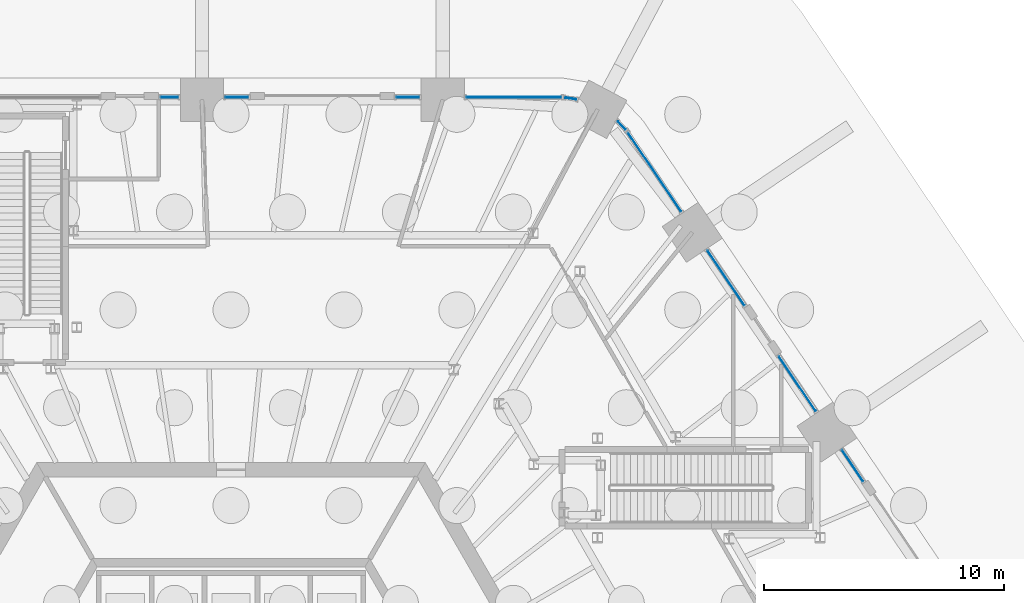
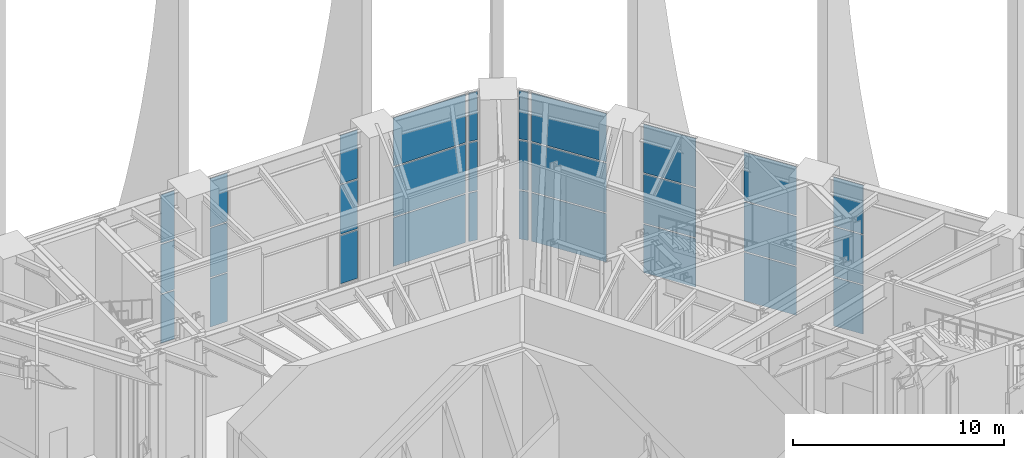
# One storey, part 23 of 43: 30 plates, 10 elements without a shape of their own.
"""IFC4 building model written with IfcOpenShell, lengths in metres."""

from ifc_helpers import new_model, si_unit, direction, frame, origin, origin_2d, place, context, subcontext, project, spatial, rectangle, extrude, material, layer, layer_set, type_object, element, aggregate, save


model = new_model("IFC4")

# Units and contexts
model_context = context("Model", 3, precision=1e-05, world=origin(), true_north=direction((0.0, 1.0)))
body_context = subcontext(model_context, "Body", "Model", "MODEL_VIEW")
ifc_project = project(units=[si_unit("LENGTHUNIT", "METRE"), si_unit("AREAUNIT", "SQUARE_METRE"), si_unit("VOLUMEUNIT", "CUBIC_METRE"), si_unit("PLANEANGLEUNIT", "RADIAN"), si_unit("MASSUNIT", "GRAM", prefix="KILO")], contexts=[model_context])

# Site, building, storey
site_placement = place(None, origin())
site = spatial("IfcSite", under=ifc_project, at=site_placement, CompositionType="ELEMENT")
building_placement = place(site_placement, origin())
building = spatial("IfcBuilding", under=site, at=building_placement, Name="Tarnside Tower", CompositionType="ELEMENT")
storey_placement = place(building_placement, origin())
storey = spatial("IfcBuildingStorey", under=building, at=storey_placement, Name="L00", CompositionType="ELEMENT", Elevation=0.0)

# Curtain wall, plates
ifc_material_1 = material(Name="Lobby entrance glazing wall", Category="glass")
curtain_wall_type_1 = type_object("IfcCurtainWallType", Name="Lobby entrance glazing wall", PredefinedType="NOTDEFINED", material=ifc_material_1)
curtain_wall_1_placement = place(storey_placement, origin())
curtain_wall_1 = element("IfcCurtainWall", 1, at=curtain_wall_1_placement, inside=storey, type_object=curtain_wall_type_1, Name="Side light 20b", PredefinedType="NOTDEFINED")
ifc_material_2 = material(Name="Low-iron safety glass", Category="glass")
ifc_layer_1 = layer(ifc_material_2, 0.030029296875)
ifc_layer_set_1 = layer_set([ifc_layer_1], Name="Lobby entrance glazing panel 30")
plate_type_1 = type_object("IfcPlateType", Name="Lobby entrance glazing panel 30", PredefinedType="CURTAIN_PANEL", material=ifc_layer_set_1)
plate_1_placement = place(storey_placement, frame((25.866943359375, 13.86865234375, 0.06982421875), z_axis=(0.0, 0.0, 1.0), x_axis=(-0.559192903413, 0.829037572594, 0.0)))
plate_1 = element("IfcPlate", 2, at=plate_1_placement, type_object=plate_type_1, Name="CW3 panel 1.1", PredefinedType="CURTAIN_PANEL", context=body_context, shape_type="SweptSolid", body=[
    extrude(rectangle(XDim=1.57177734375, YDim=0.030029296875, at=origin_2d()), origin(), (0.0, 0.0, 1.0), 2.811767578125),
])
plate_2_placement = place(storey_placement, frame((25.866943359375, 13.86865234375, 2.95166015625), z_axis=(0.0, 0.0, 1.0), x_axis=(-0.559192903413, 0.829037572594, 0.0)))
plate_2 = element("IfcPlate", 3, at=plate_2_placement, type_object=plate_type_1, Name="CW3 panel 1.2", PredefinedType="CURTAIN_PANEL", context=body_context, shape_type="SweptSolid", body=[
    extrude(rectangle(XDim=1.57177734375, YDim=0.030029296875, at=origin_2d()), origin(), (0.0, 0.0, 1.0), 2.8466796875),
])
plate_3_placement = place(storey_placement, frame((25.866943359375, 13.86865234375, 5.8681640625), z_axis=(0.0, 0.0, 1.0), x_axis=(-0.559192903413, 0.829037572594, 0.0)))
plate_3 = element("IfcPlate", 4, at=plate_3_placement, type_object=plate_type_1, Name="CW3 panel 1.3", PredefinedType="CURTAIN_PANEL", context=body_context, shape_type="SweptSolid", body=[
    extrude(rectangle(XDim=1.57177734375, YDim=0.030029296875, at=origin_2d()), origin(), (0.0, 0.0, 1.0), 2.811767578125),
])
aggregate(curtain_wall_1, [plate_1, plate_2, plate_3])

ifc_material_3 = material(Name="Station concourse glazing wall", Category="glass")
curtain_wall_type_2 = type_object("IfcCurtainWallType", Name="Station concourse glazing wall", PredefinedType="NOTDEFINED", material=ifc_material_3)
curtain_wall_2_placement = place(storey_placement, origin())
curtain_wall_2 = element("IfcCurtainWall", 5, at=curtain_wall_2_placement, inside=storey, type_object=curtain_wall_type_2, Name="Side light 00a", PredefinedType="NOTDEFINED")
ifc_layer_2 = layer(ifc_material_2, 0.031982421875)
ifc_layer_set_2 = layer_set([ifc_layer_2], Name="Station concourse glazing panel 32")
plate_type_2 = type_object("IfcPlateType", Name="Station concourse glazing panel 32", PredefinedType="CURTAIN_PANEL", material=ifc_layer_set_2)
plate_4_placement = place(storey_placement, frame((7.356689453125, 29.199951171875, 0.080078125), z_axis=(0.0, 0.0, 1.0), x_axis=(-1.0, 0.0, 0.0)))
plate_4 = element("IfcPlate", 6, at=plate_4_placement, type_object=plate_type_2, Name="CW1 panel 1.1", PredefinedType="CURTAIN_PANEL", context=body_context, shape_type="SweptSolid", body=[
    extrude(rectangle(XDim=0.951904296875, YDim=0.031982421875, at=origin_2d()), origin(), (0.0, 0.0, 1.0), 2.796630859375),
])
plate_5_placement = place(storey_placement, frame((7.356689453125, 29.199951171875, 2.95654296875), z_axis=(0.0, 0.0, 1.0), x_axis=(-1.0, 0.0, 0.0)))
plate_5 = element("IfcPlate", 7, at=plate_5_placement, type_object=plate_type_2, Name="CW1 panel 1.2", PredefinedType="CURTAIN_PANEL", context=body_context, shape_type="SweptSolid", body=[
    extrude(rectangle(XDim=0.951904296875, YDim=0.031982421875, at=origin_2d()), origin(), (0.0, 0.0, 1.0), 2.836669921875),
])
plate_6_placement = place(storey_placement, frame((7.356689453125, 29.199951171875, 5.87353515625), z_axis=(0.0, 0.0, 1.0), x_axis=(-1.0, 0.0, 0.0)))
plate_6 = element("IfcPlate", 8, at=plate_6_placement, type_object=plate_type_2, Name="CW1 panel 1.3", PredefinedType="CURTAIN_PANEL", context=body_context, shape_type="SweptSolid", body=[
    extrude(rectangle(XDim=0.951904296875, YDim=0.031982421875, at=origin_2d()), origin(), (0.0, 0.0, 1.0), 2.796630859375),
])
aggregate(curtain_wall_2, [plate_4, plate_5, plate_6])

curtain_wall_3_placement = place(storey_placement, origin())
curtain_wall_3 = element("IfcCurtainWall", 9, at=curtain_wall_3_placement, inside=storey, type_object=curtain_wall_type_2, Name="Side light 00b", PredefinedType="NOTDEFINED")
plate_7_placement = place(storey_placement, frame((0.244873046875, 29.199951171875, 0.080078125), z_axis=(0.0, 0.0, 1.0), x_axis=(-1.0, 0.0, 0.0)))
plate_7 = element("IfcPlate", 10, at=plate_7_placement, type_object=plate_type_2, Name="CW1 panel 1.1", PredefinedType="CURTAIN_PANEL", context=body_context, shape_type="SweptSolid", body=[
    extrude(rectangle(XDim=0.951904296875, YDim=0.031982421875, at=origin_2d()), origin(), (0.0, 0.0, 1.0), 2.796630859375),
])
plate_8_placement = place(storey_placement, frame((0.244873046875, 29.199951171875, 2.95654296875), z_axis=(0.0, 0.0, 1.0), x_axis=(-1.0, 0.0, 0.0)))
plate_8 = element("IfcPlate", 11, at=plate_8_placement, type_object=plate_type_2, Name="CW1 panel 1.2", PredefinedType="CURTAIN_PANEL", context=body_context, shape_type="SweptSolid", body=[
    extrude(rectangle(XDim=0.951904296875, YDim=0.031982421875, at=origin_2d()), origin(), (0.0, 0.0, 1.0), 2.836669921875),
])
plate_9_placement = place(storey_placement, frame((0.244873046875, 29.199951171875, 5.87353515625), z_axis=(0.0, 0.0, 1.0), x_axis=(-1.0, 0.0, 0.0)))
plate_9 = element("IfcPlate", 12, at=plate_9_placement, type_object=plate_type_2, Name="CW1 panel 1.3", PredefinedType="CURTAIN_PANEL", context=body_context, shape_type="SweptSolid", body=[
    extrude(rectangle(XDim=0.951904296875, YDim=0.031982421875, at=origin_2d()), origin(), (0.0, 0.0, 1.0), 2.796630859375),
])
aggregate(curtain_wall_3, [plate_7, plate_8, plate_9])

curtain_wall_4_placement = place(storey_placement, origin())
curtain_wall_4 = element("IfcCurtainWall", 13, at=curtain_wall_4_placement, inside=storey, type_object=curtain_wall_type_2, Name="Side light 010a", PredefinedType="NOTDEFINED")
plate_10_placement = place(storey_placement, frame((-2.56103515625, 29.199951171875, 0.080078125), z_axis=(0.0, 0.0, 1.0), x_axis=(-1.0, 0.0, 0.0)))
plate_10 = element("IfcPlate", 14, at=plate_10_placement, type_object=plate_type_2, Name="CW1 panel 1.1", PredefinedType="CURTAIN_PANEL", context=body_context, shape_type="SweptSolid", body=[
    extrude(rectangle(XDim=0.739990234375, YDim=0.031982421875, at=origin_2d()), origin(), (0.0, 0.0, 1.0), 2.796630859375),
])
plate_11_placement = place(storey_placement, frame((-2.56103515625, 29.199951171875, 2.95654296875), z_axis=(0.0, 0.0, 1.0), x_axis=(-1.0, 0.0, 0.0)))
plate_11 = element("IfcPlate", 15, at=plate_11_placement, type_object=plate_type_2, Name="CW1 panel 1.2", PredefinedType="CURTAIN_PANEL", context=body_context, shape_type="SweptSolid", body=[
    extrude(rectangle(XDim=0.739990234375, YDim=0.031982421875, at=origin_2d()), origin(), (0.0, 0.0, 1.0), 2.836669921875),
])
plate_12_placement = place(storey_placement, frame((-2.56103515625, 29.199951171875, 5.87353515625), z_axis=(0.0, 0.0, 1.0), x_axis=(-1.0, 0.0, 0.0)))
plate_12 = element("IfcPlate", 16, at=plate_12_placement, type_object=plate_type_2, Name="CW1 panel 1.3", PredefinedType="CURTAIN_PANEL", context=body_context, shape_type="SweptSolid", body=[
    extrude(rectangle(XDim=0.739990234375, YDim=0.031982421875, at=origin_2d()), origin(), (0.0, 0.0, 1.0), 2.796630859375),
])
aggregate(curtain_wall_4, [plate_10, plate_11, plate_12])

curtain_wall_5_placement = place(storey_placement, origin())
curtain_wall_5 = element("IfcCurtainWall", 17, at=curtain_wall_5_placement, inside=storey, type_object=curtain_wall_type_2, Name="Side light 210a", PredefinedType="NOTDEFINED")
plate_13_placement = place(storey_placement, frame((23.567626953125, 17.277587890625, 0.080078125), z_axis=(0.0, 0.0, 1.0), x_axis=(-0.559192903413, 0.829037572594, 0.0)))
plate_13 = element("IfcPlate", 18, at=plate_13_placement, type_object=plate_type_2, Name="CW1 panel 1.1", PredefinedType="CURTAIN_PANEL", context=body_context, shape_type="SweptSolid", body=[
    extrude(rectangle(XDim=2.751953125, YDim=0.031982421875, at=origin_2d()), origin(), (0.0, 0.0, 1.0), 2.796630859375),
])
plate_14_placement = place(storey_placement, frame((23.567626953125, 17.277587890625, 2.95654296875), z_axis=(0.0, 0.0, 1.0), x_axis=(-0.559192903413, 0.829037572594, 0.0)))
plate_14 = element("IfcPlate", 19, at=plate_14_placement, type_object=plate_type_2, Name="CW1 panel 1.2", PredefinedType="CURTAIN_PANEL", context=body_context, shape_type="SweptSolid", body=[
    extrude(rectangle(XDim=2.751953125, YDim=0.031982421875, at=origin_2d()), origin(), (0.0, 0.0, 1.0), 2.836669921875),
])
plate_15_placement = place(storey_placement, frame((23.567626953125, 17.277587890625, 5.87353515625), z_axis=(0.0, 0.0, 1.0), x_axis=(-0.559192903413, 0.829037572594, 0.0)))
plate_15 = element("IfcPlate", 20, at=plate_15_placement, type_object=plate_type_2, Name="CW1 panel 1.3", PredefinedType="CURTAIN_PANEL", context=body_context, shape_type="SweptSolid", body=[
    extrude(rectangle(XDim=2.751953125, YDim=0.031982421875, at=origin_2d()), origin(), (0.0, 0.0, 1.0), 2.796630859375),
])
aggregate(curtain_wall_5, [plate_13, plate_14, plate_15])

curtain_wall_6_placement = place(storey_placement, origin())
curtain_wall_6 = element("IfcCurtainWall", 21, at=curtain_wall_6_placement, inside=storey, type_object=curtain_wall_type_2, Name="Side light 210x1", PredefinedType="NOTDEFINED")
plate_16_placement = place(storey_placement, frame((20.597412109375, 21.68115234375, 0.080078125), z_axis=(0.0, 0.0, 1.0), x_axis=(-0.559192903644, 0.829037572438, 0.0)))
plate_16 = element("IfcPlate", 22, at=plate_16_placement, type_object=plate_type_2, Name="CW1 panel 1.1", PredefinedType="CURTAIN_PANEL", context=body_context, shape_type="SweptSolid", body=[
    extrude(rectangle(XDim=2.751953125, YDim=0.031982421875, at=origin_2d()), origin(), (0.0, 0.0, 1.0), 2.796630859375),
])
plate_17_placement = place(storey_placement, frame((20.597412109375, 21.68115234375, 2.95654296875), z_axis=(0.0, 0.0, 1.0), x_axis=(-0.559192903644, 0.829037572438, 0.0)))
plate_17 = element("IfcPlate", 23, at=plate_17_placement, type_object=plate_type_2, Name="CW1 panel 1.2", PredefinedType="CURTAIN_PANEL", context=body_context, shape_type="SweptSolid", body=[
    extrude(rectangle(XDim=2.751953125, YDim=0.031982421875, at=origin_2d()), origin(), (0.0, 0.0, 1.0), 2.836669921875),
])
plate_18_placement = place(storey_placement, frame((20.597412109375, 21.68115234375, 5.87353515625), z_axis=(0.0, 0.0, 1.0), x_axis=(-0.559192903644, 0.829037572438, 0.0)))
plate_18 = element("IfcPlate", 24, at=plate_18_placement, type_object=plate_type_2, Name="CW1 panel 1.3", PredefinedType="CURTAIN_PANEL", context=body_context, shape_type="SweptSolid", body=[
    extrude(rectangle(XDim=2.751953125, YDim=0.031982421875, at=origin_2d()), origin(), (0.0, 0.0, 1.0), 2.796630859375),
])
aggregate(curtain_wall_6, [plate_16, plate_17, plate_18])

curtain_wall_7_placement = place(storey_placement, origin())
curtain_wall_7 = element("IfcCurtainWall", 25, at=curtain_wall_7_placement, inside=storey, type_object=curtain_wall_type_2, Name="Station concourse glazing L00 22.0", PredefinedType="NOTDEFINED")
plate_19_placement = place(storey_placement, frame((17.626953125, 26.0849609375, 0.080078125), z_axis=(0.0, 0.0, 1.0), x_axis=(-0.559192903572, 0.829037572487, 0.0)))
plate_19 = element("IfcPlate", 26, at=plate_19_placement, type_object=plate_type_2, Name="CW1 panel 1.1", PredefinedType="CURTAIN_PANEL", context=body_context, shape_type="SweptSolid", body=[
    extrude(rectangle(XDim=3.951904296875, YDim=0.031982421875, at=origin_2d()), origin(), (0.0, 0.0, 1.0), 2.796630859375),
])
plate_20_placement = place(storey_placement, frame((17.626953125, 26.0849609375, 2.95654296875), z_axis=(0.0, 0.0, 1.0), x_axis=(-0.559192903572, 0.829037572487, 0.0)))
plate_20 = element("IfcPlate", 27, at=plate_20_placement, type_object=plate_type_2, Name="CW1 panel 1.2", PredefinedType="CURTAIN_PANEL", context=body_context, shape_type="SweptSolid", body=[
    extrude(rectangle(XDim=3.951904296875, YDim=0.031982421875, at=origin_2d()), origin(), (0.0, 0.0, 1.0), 2.836669921875),
])
plate_21_placement = place(storey_placement, frame((17.626953125, 26.0849609375, 5.87353515625), z_axis=(0.0, 0.0, 1.0), x_axis=(-0.559192903572, 0.829037572487, 0.0)))
plate_21 = element("IfcPlate", 28, at=plate_21_placement, type_object=plate_type_2, Name="CW1 panel 1.3", PredefinedType="CURTAIN_PANEL", context=body_context, shape_type="SweptSolid", body=[
    extrude(rectangle(XDim=3.951904296875, YDim=0.031982421875, at=origin_2d()), origin(), (0.0, 0.0, 1.0), 2.796630859375),
])
aggregate(curtain_wall_7, [plate_19, plate_20, plate_21])

curtain_wall_8_placement = place(storey_placement, origin())
curtain_wall_8 = element("IfcCurtainWall", 29, at=curtain_wall_8_placement, inside=storey, type_object=curtain_wall_type_2, Name="Station concourse glazing L00 22.1", PredefinedType="NOTDEFINED")
plate_22_placement = place(storey_placement, frame((16.258544921875, 28.0234375, 0.080078125), z_axis=(0.0, 0.0, 1.0), x_axis=(-0.686241637814, 0.727373641625, 0.0)))
plate_22 = element("IfcPlate", 30, at=plate_22_placement, type_object=plate_type_2, Name="CW1 panel 1.1", PredefinedType="CURTAIN_PANEL", context=body_context, shape_type="SweptSolid", body=[
    extrude(rectangle(XDim=0.4482421875, YDim=0.031982421875, at=origin_2d()), origin(), (0.0, 0.0, 1.0), 2.796630859375),
])
plate_23_placement = place(storey_placement, frame((16.258544921875, 28.0234375, 2.95654296875), z_axis=(0.0, 0.0, 1.0), x_axis=(-0.686241637814, 0.727373641625, 0.0)))
plate_23 = element("IfcPlate", 31, at=plate_23_placement, type_object=plate_type_2, Name="CW1 panel 1.2", PredefinedType="CURTAIN_PANEL", context=body_context, shape_type="SweptSolid", body=[
    extrude(rectangle(XDim=0.4482421875, YDim=0.031982421875, at=origin_2d()), origin(), (0.0, 0.0, 1.0), 2.836669921875),
])
plate_24_placement = place(storey_placement, frame((16.258544921875, 28.0234375, 5.87353515625), z_axis=(0.0, 0.0, 1.0), x_axis=(-0.686241637814, 0.727373641625, 0.0)))
plate_24 = element("IfcPlate", 32, at=plate_24_placement, type_object=plate_type_2, Name="CW1 panel 1.3", PredefinedType="CURTAIN_PANEL", context=body_context, shape_type="SweptSolid", body=[
    extrude(rectangle(XDim=0.4482421875, YDim=0.031982421875, at=origin_2d()), origin(), (0.0, 0.0, 1.0), 2.796630859375),
])
aggregate(curtain_wall_8, [plate_22, plate_23, plate_24])

curtain_wall_9_placement = place(storey_placement, origin())
curtain_wall_9 = element("IfcCurtainWall", 33, at=curtain_wall_9_placement, inside=storey, type_object=curtain_wall_type_2, Name="Station concourse glazing L00 23.0", PredefinedType="NOTDEFINED")
plate_25_placement = place(storey_placement, frame((14.140869140625, 29.1494140625, 0.080078125), z_axis=(0.0, 0.0, 1.0), x_axis=(-0.986761532215, 0.16217792248, 0.0)))
plate_25 = element("IfcPlate", 34, at=plate_25_placement, type_object=plate_type_2, Name="CW1 panel 1.1", PredefinedType="CURTAIN_PANEL", context=body_context, shape_type="SweptSolid", body=[
    extrude(rectangle(XDim=0.4482421875, YDim=0.031982421875, at=origin_2d()), origin(), (0.0, 0.0, 1.0), 2.796630859375),
])
plate_26_placement = place(storey_placement, frame((14.140869140625, 29.1494140625, 2.95654296875), z_axis=(0.0, 0.0, 1.0), x_axis=(-0.986761532215, 0.16217792248, 0.0)))
plate_26 = element("IfcPlate", 35, at=plate_26_placement, type_object=plate_type_2, Name="CW1 panel 1.2", PredefinedType="CURTAIN_PANEL", context=body_context, shape_type="SweptSolid", body=[
    extrude(rectangle(XDim=0.4482421875, YDim=0.031982421875, at=origin_2d()), origin(), (0.0, 0.0, 1.0), 2.836669921875),
])
plate_27_placement = place(storey_placement, frame((14.140869140625, 29.1494140625, 5.87353515625), z_axis=(0.0, 0.0, 1.0), x_axis=(-0.986761532215, 0.16217792248, 0.0)))
plate_27 = element("IfcPlate", 36, at=plate_27_placement, type_object=plate_type_2, Name="CW1 panel 1.3", PredefinedType="CURTAIN_PANEL", context=body_context, shape_type="SweptSolid", body=[
    extrude(rectangle(XDim=0.4482421875, YDim=0.031982421875, at=origin_2d()), origin(), (0.0, 0.0, 1.0), 2.796630859375),
])
aggregate(curtain_wall_9, [plate_25, plate_26, plate_27])

curtain_wall_10_placement = place(storey_placement, origin())
curtain_wall_10 = element("IfcCurtainWall", 37, at=curtain_wall_10_placement, inside=storey, type_object=curtain_wall_type_2, Name="Station concourse glazing L00 23.1", PredefinedType="NOTDEFINED")
plate_28_placement = place(storey_placement, frame((11.7685546875, 29.199951171875, 0.080078125), z_axis=(0.0, 0.0, 1.0), x_axis=(-1.0, 0.0, 0.0)))
plate_28 = element("IfcPlate", 38, at=plate_28_placement, type_object=plate_type_2, Name="CW1 panel 1.1", PredefinedType="CURTAIN_PANEL", context=body_context, shape_type="SweptSolid", body=[
    extrude(rectangle(XDim=3.951904296875, YDim=0.031982421875, at=origin_2d()), origin(), (0.0, 0.0, 1.0), 2.796630859375),
])
plate_29_placement = place(storey_placement, frame((11.7685546875, 29.199951171875, 2.95654296875), z_axis=(0.0, 0.0, 1.0), x_axis=(-1.0, 0.0, 0.0)))
plate_29 = element("IfcPlate", 39, at=plate_29_placement, type_object=plate_type_2, Name="CW1 panel 1.2", PredefinedType="CURTAIN_PANEL", context=body_context, shape_type="SweptSolid", body=[
    extrude(rectangle(XDim=3.951904296875, YDim=0.031982421875, at=origin_2d()), origin(), (0.0, 0.0, 1.0), 2.836669921875),
])
plate_30_placement = place(storey_placement, frame((11.7685546875, 29.199951171875, 5.87353515625), z_axis=(0.0, 0.0, 1.0), x_axis=(-1.0, 0.0, 0.0)))
plate_30 = element("IfcPlate", 40, at=plate_30_placement, type_object=plate_type_2, Name="CW1 panel 1.3", PredefinedType="CURTAIN_PANEL", context=body_context, shape_type="SweptSolid", body=[
    extrude(rectangle(XDim=3.951904296875, YDim=0.031982421875, at=origin_2d()), origin(), (0.0, 0.0, 1.0), 2.796630859375),
])
aggregate(curtain_wall_10, [plate_28, plate_29, plate_30])

save(model, "model.ifc")
